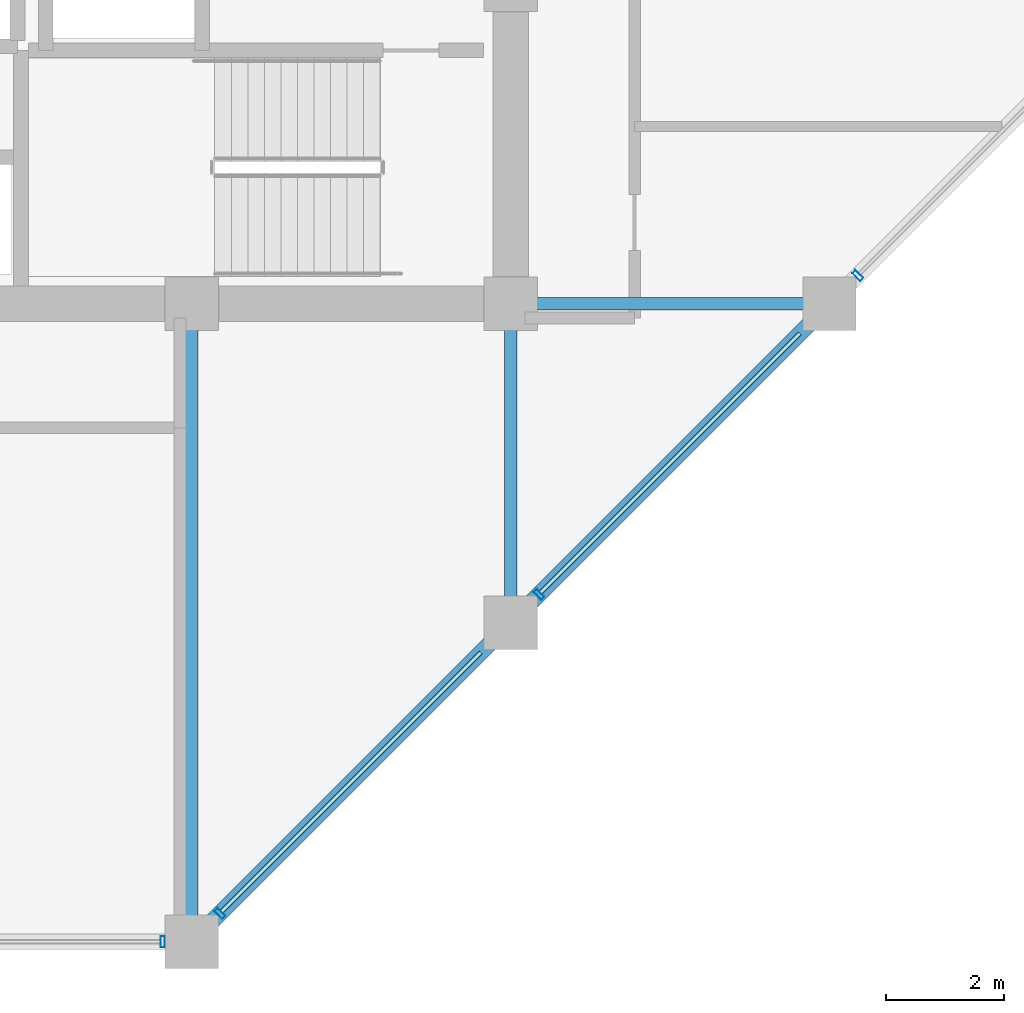
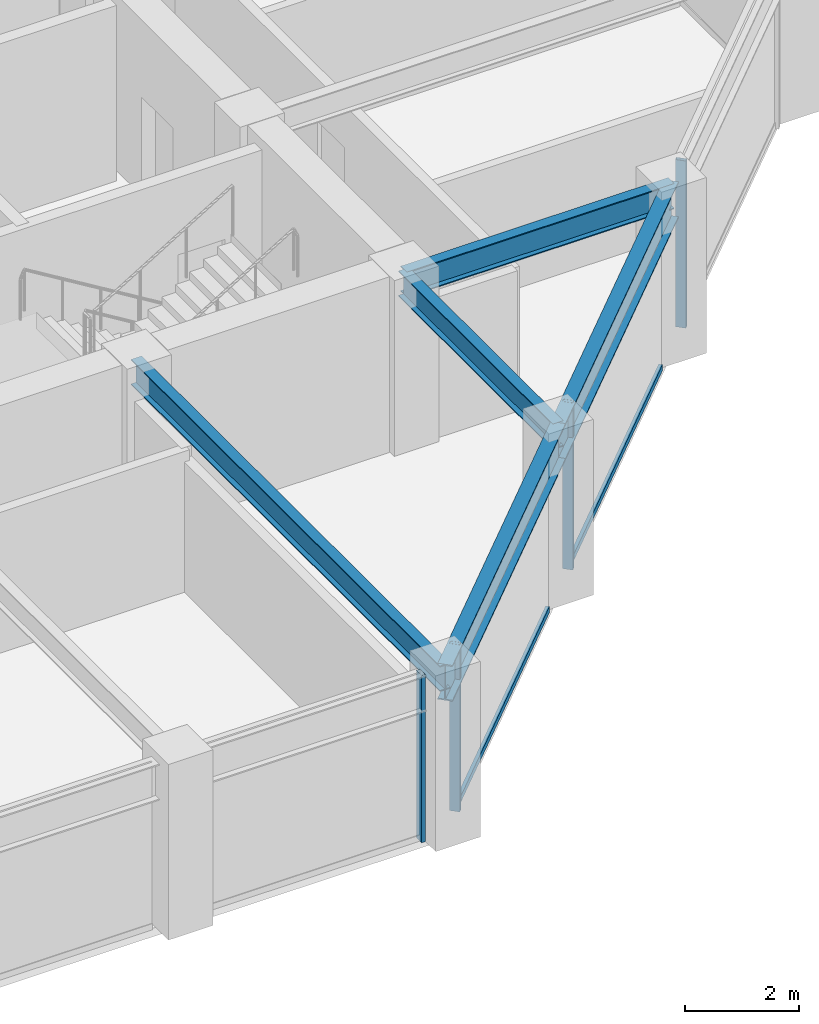
# One storey, part 12 of 31: 6 members, 5 beams, 2 elements without a shape of their own.
"""IFC4 building model written with IfcOpenShell, lengths in metres."""

from ifc_helpers import new_model, si_unit, direction, frame, origin, origin_2d, place, context, subcontext, project, spatial, hollow_rectangle, i_section, extrude, material, layer, layer_set, material_profile, profile_set, type_object, element, aggregate, save


model = new_model("IFC4")

# Units and contexts
model_context = context("Model", 3, precision=1e-05, world=origin(), true_north=direction((0.0, 1.0)))
body_context = subcontext(model_context, "Body", "Model", "MODEL_VIEW")
ifc_project = project(units=[si_unit("LENGTHUNIT", "METRE"), si_unit("AREAUNIT", "SQUARE_METRE"), si_unit("VOLUMEUNIT", "CUBIC_METRE"), si_unit("PLANEANGLEUNIT", "RADIAN"), si_unit("MASSUNIT", "GRAM", prefix="KILO")], contexts=[model_context])

# Site, building, storey
site_placement = place(None, origin())
site = spatial("IfcSite", under=ifc_project, at=site_placement, CompositionType="ELEMENT")
building_placement = place(site_placement, origin())
building = spatial("IfcBuilding", under=site, at=building_placement, Name="Surkhivell Harbour Commons", CompositionType="ELEMENT")
storey_placement = place(building_placement, frame((0.0, 0.0, 193.5)))
storey = spatial("IfcBuildingStorey", under=building, at=storey_placement, Name="L50", CompositionType="ELEMENT", Elevation=193.5)

# Beams
ifc_material_1 = material(Name="Steel S355", Category="steel")
ifc_material_profile_1 = material_profile(ifc_material_1, i_section(OverallWidth=0.2119140625, OverallDepth=0.5439453125, WebThickness=0.0126953125, FlangeThickness=0.021240234375, at=origin_2d()), Name="UB533x210x122")
ifc_profile_set_1 = profile_set([ifc_material_profile_1], Name="Steel S355")
beam_type_1 = type_object("IfcBeamType", Name="BM-GRD-533A", PredefinedType="BEAM", material=ifc_profile_set_1)
beam_1_placement = place(storey_placement, frame((5.39990234375, -21.60009765625, 3.298095703125), z_axis=(0.0, 1.0, 0.0), x_axis=(-1.0, 0.0, 0.0)))
element("IfcBeam", 1, at=beam_1_placement, inside=storey, type_object=beam_type_1, Name="L50 Floor Girder (5.4,-21.6)", PredefinedType="BEAM", context=body_context, shape_type="SweptSolid", body=[
    extrude(i_section(OverallWidth=0.2119140625, OverallDepth=0.5439453125, WebThickness=0.0126953125, FlangeThickness=0.021240234375, at=origin_2d()), origin(), (0.0, 0.0, 1.0), 10.800048828125),
])
for number, where, z_axis, x_axis, name in (
    (2, (10.800048828125, -16.199951171875, 3.298095703125), (0.0, 1.0, 0.0), (-1.0, 0.0, 0.0), "L50 Floor Girder (10.8,-16.2)"),
    (3, (10.800048828125, -10.800048828125, 3.298095703125), (1.0, 0.0, 0.0), (0.0, 1.0, 0.0), "L50 Floor Girder (10.8,-10.8)"),
):
    element("IfcBeam", number, at=place(storey_placement, frame(where, z_axis=z_axis, x_axis=x_axis)), inside=storey, type_object=beam_type_1, Name=name, PredefinedType="BEAM", context=body_context, shape_type="SweptSolid", body=[
        extrude(i_section(OverallWidth=0.2119140625, OverallDepth=0.5439453125, WebThickness=0.0126953125, FlangeThickness=0.021240234375, at=origin_2d()), origin(), (0.0, 0.0, 1.0), 5.39990234375),
    ])
ifc_material_profile_2 = material_profile(ifc_material_1, i_section(OverallWidth=0.26806640625, OverallDepth=0.77001953125, WebThickness=0.015625, FlangeThickness=0.025390625, at=origin_2d()), Name="UB762x267x197")
ifc_profile_set_2 = profile_set([ifc_material_profile_2], Name="Steel S355")
beam_type_2 = type_object("IfcBeamType", Name="BM-SPN-762", PredefinedType="SPANDREL", material=ifc_profile_set_2)
beam_2_placement = place(storey_placement, frame((5.39990234375, -21.60009765625, 3.18505859375), z_axis=(0.707106781187, 0.707106781187, 0.0), x_axis=(-0.707106781187, 0.707106781187, 0.0)))
element("IfcBeam", 4, at=beam_2_placement, inside=storey, type_object=beam_type_2, Name="L50 Tube Spandrel (5.4,-21.6)", PredefinedType="SPANDREL", context=body_context, shape_type="SweptSolid", body=[
    extrude(i_section(OverallWidth=0.26806640625, OverallDepth=0.77001953125, WebThickness=0.015625, FlangeThickness=0.025390625, at=origin_2d()), origin(), (0.0, 0.0, 1.0), 7.636962890625),
])
beam_3_placement = place(storey_placement, frame((10.800048828125, -16.199951171875, 3.18505859375), z_axis=(0.707106781187, 0.707106781187, 0.0), x_axis=(-0.707106781187, 0.707106781187, 0.0)))
element("IfcBeam", 5, at=beam_3_placement, inside=storey, type_object=beam_type_2, Name="L50 Tube Spandrel (10.8,-16.2)", PredefinedType="SPANDREL", context=body_context, shape_type="SweptSolid", body=[
    extrude(i_section(OverallWidth=0.26806640625, OverallDepth=0.77001953125, WebThickness=0.015625, FlangeThickness=0.025390625, at=origin_2d()), origin(), (0.0, 0.0, 1.0), 7.63671875),
])

# Curtain wall, member
ifc_material_2 = material(Name="Anodised pale-metal aluminium and insulated glazing", Category="aluminium")
ifc_layer = layer(ifc_material_2, 0.18994140625)
ifc_layer_set = layer_set([ifc_layer], Name="Anodised pale-metal aluminium and insulated glazing")
curtain_wall_type = type_object("IfcCurtainWallType", Name="CW-SYS-Z3", PredefinedType="NOTDEFINED", material=ifc_layer_set)
curtain_wall_1_placement = place(storey_placement, origin())
curtain_wall_1 = element("IfcCurtainWall", 6, at=curtain_wall_1_placement, inside=storey, type_object=curtain_wall_type, Name="L50 Curtain Wall CW-L50-E00S2", PredefinedType="NOTDEFINED")
ifc_material_3 = material(Name="Anodised pale-metal aluminium alloy 6063-T6", Category="aluminium")
ifc_material_profile_3 = material_profile(ifc_material_3, hollow_rectangle(XDim=0.074951171875, YDim=0.18994140625, WallThickness=0.00390625, at=origin_2d()), Name="ALU-MULL-75x190")
ifc_profile_set_3 = profile_set([ifc_material_profile_3], Name="Anodised pale-metal aluminium alloy 6063-T6")
member_type_1 = type_object("IfcMemberType", Name="CWM-190", PredefinedType="MULLION", material=ifc_profile_set_3)
member_1_placement = place(storey_placement, frame((4.910400390625, -21.60009765625, 0.0), z_axis=(0.0, 0.0, 1.0), x_axis=(1.0, 0.0, 0.0)))
member_1 = element("IfcMember", 7, at=member_1_placement, type_object=member_type_1, Name="CW-Z3 mullion 3", PredefinedType="MULLION", context=body_context, shape_type="SweptSolid", body=[
    extrude(hollow_rectangle(XDim=0.074951171875, YDim=0.18994140625, WallThickness=0.00390625, at=origin_2d()), origin(), (0.0, 0.0, 1.0), 3.570068359375),
])
aggregate(curtain_wall_1, [member_1])

# Curtain wall, members
curtain_wall_2_placement = place(storey_placement, origin())
curtain_wall_2 = element("IfcCurtainWall", 8, at=curtain_wall_2_placement, inside=storey, type_object=curtain_wall_type, Name="L50 Curtain Wall CW-L50-E01", PredefinedType="NOTDEFINED")
member_2_placement = place(storey_placement, frame((5.878173828125, -21.121826171875, 0.0), z_axis=(0.0, 0.0, 1.0), x_axis=(0.707106781187, 0.707106781187, 0.0)))
member_2 = element("IfcMember", 9, at=member_2_placement, type_object=member_type_1, Name="CW-Z3 mullion 1", PredefinedType="MULLION", context=body_context, shape_type="SweptSolid", body=[
    extrude(hollow_rectangle(XDim=0.074951171875, YDim=0.18994140625, WallThickness=0.00390625, at=origin_2d()), origin(), (0.0, 0.0, 1.0), 3.570068359375),
])
member_3_placement = place(storey_placement, frame((11.278076171875, -15.721923828125, 0.0), z_axis=(0.0, 0.0, 1.0), x_axis=(0.707106781187, 0.707106781187, 0.0)))
member_3 = element("IfcMember", 10, at=member_3_placement, type_object=member_type_1, Name="CW-Z3 mullion 2", PredefinedType="MULLION", context=body_context, shape_type="SweptSolid", body=[
    extrude(hollow_rectangle(XDim=0.074951171875, YDim=0.18994140625, WallThickness=0.00390625, at=origin_2d()), origin(), (0.0, 0.0, 1.0), 3.570068359375),
])
member_4_placement = place(storey_placement, frame((16.67822265625, -10.32177734375, 0.0), z_axis=(0.0, 0.0, 1.0), x_axis=(0.707106781187, 0.707106781187, 0.0)))
member_4 = element("IfcMember", 11, at=member_4_placement, type_object=member_type_1, Name="CW-Z3 mullion 3", PredefinedType="MULLION", context=body_context, shape_type="SweptSolid", body=[
    extrude(hollow_rectangle(XDim=0.074951171875, YDim=0.18994140625, WallThickness=0.00390625, at=origin_2d()), origin(), (0.0, 0.0, 1.0), 3.570068359375),
])
ifc_material_4 = material(Name="Champagne anodised aluminium alloy 6063-T6", Category="aluminium")
ifc_material_profile_4 = material_profile(ifc_material_4, hollow_rectangle(XDim=0.070068359375, YDim=0.1298828125, WallThickness=0.00341796875, at=origin_2d()), Name="ALU-TRAN-70x130")
ifc_profile_set_4 = profile_set([ifc_material_profile_4], Name="Champagne anodised aluminium alloy 6063-T6")
member_type_2 = type_object("IfcMemberType", Name="CWT-130", PredefinedType="USERDEFINED", material=ifc_profile_set_4)
member_5_placement = place(storey_placement, frame((5.90478515625, -21.09521484375, 0.06494140625), z_axis=(0.707106781187, 0.707106781187, 0.0), x_axis=(-0.707106781187, 0.707106781187, 0.0)))
member_5 = element("IfcMember", 12, at=member_5_placement, type_object=member_type_2, Name="CW-Z3 transom 1.1", ObjectType="TRANSOM", PredefinedType="USERDEFINED", context=body_context, shape_type="SweptSolid", body=[
    extrude(hollow_rectangle(XDim=0.070068359375, YDim=0.1298828125, WallThickness=0.00341796875, at=origin_2d()), origin(), (0.0, 0.0, 1.0), 6.209228515625),
])
member_6_placement = place(storey_placement, frame((11.3046875, -15.6953125, 0.06494140625), z_axis=(0.707106781187, 0.707106781187, 0.0), x_axis=(-0.707106781187, 0.707106781187, 0.0)))
member_6 = element("IfcMember", 13, at=member_6_placement, type_object=member_type_2, Name="CW-Z3 transom 2.1", ObjectType="TRANSOM", PredefinedType="USERDEFINED", context=body_context, shape_type="SweptSolid", body=[
    extrude(hollow_rectangle(XDim=0.070068359375, YDim=0.1298828125, WallThickness=0.00341796875, at=origin_2d()), origin(), (0.0, 0.0, 1.0), 6.209228515625),
])
aggregate(curtain_wall_2, [member_2, member_5, member_3, member_6, member_4])

save(model, "model.ifc")
